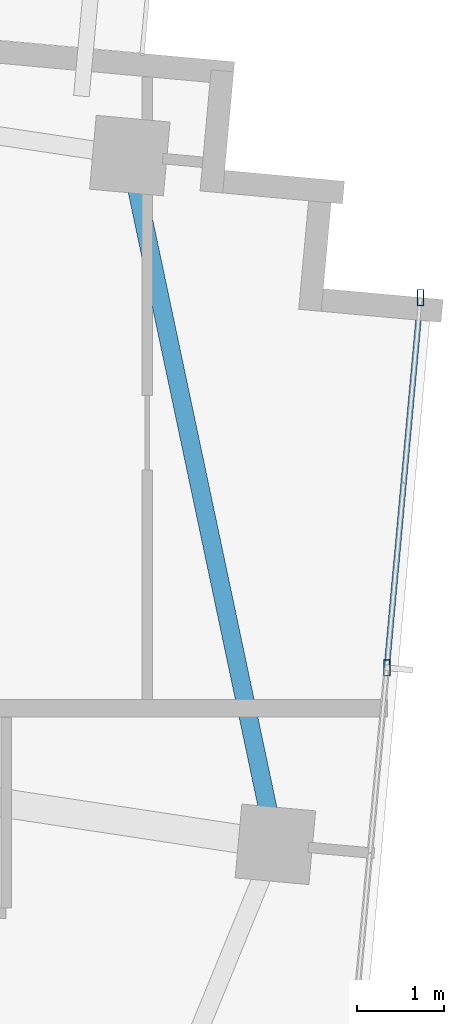
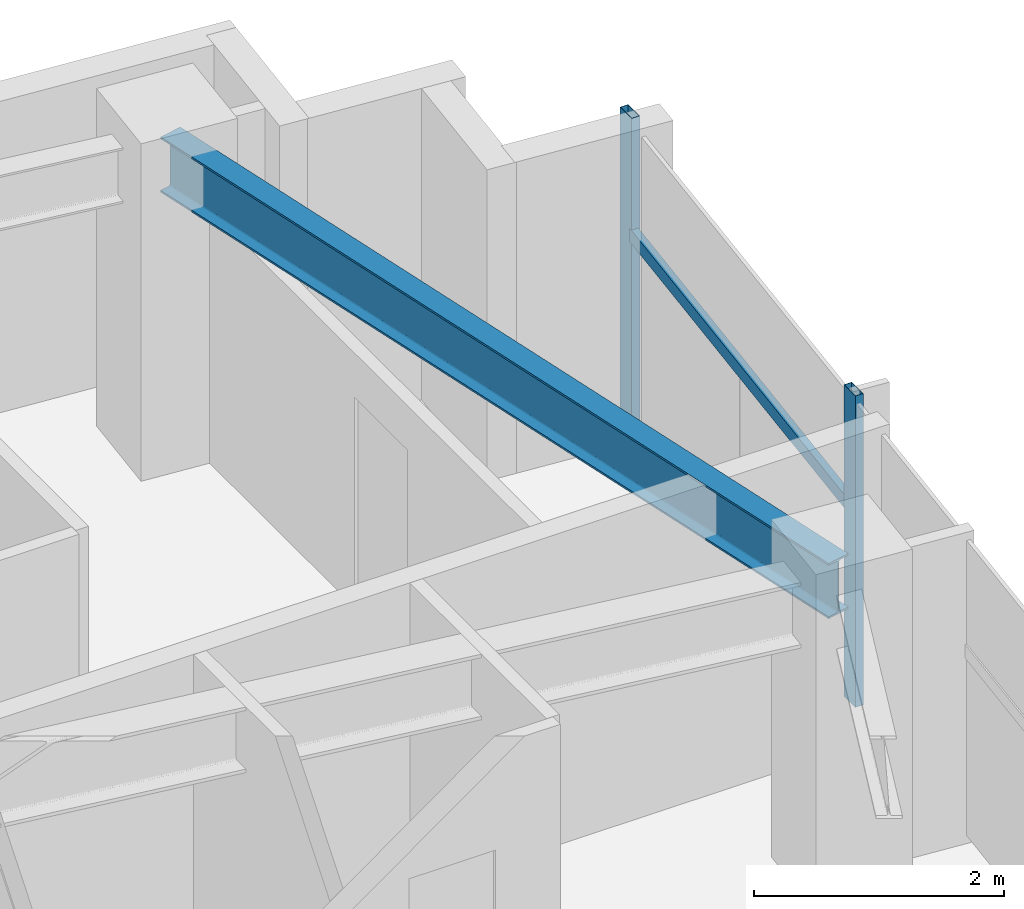
# One storey, part 14 of 22: 3 members, 1 beam, 1 element without a shape of its own.
"""IFC4 building model written with IfcOpenShell, lengths in metres."""

from ifc_helpers import new_model, si_unit, direction, frame, origin, origin_2d, place, context, subcontext, project, spatial, hollow_rectangle, i_section, extrude, source, transform, mapped, material, material_profile, profile_set, type_object, type_shapes, element, aggregate, save


model = new_model("IFC4")

# Units and contexts
model_context = context("Model", 3, precision=1e-05, world=origin(), true_north=direction((0.0, 1.0)))
body_context = subcontext(model_context, "Body", "Model", "MODEL_VIEW")
ifc_project = project(units=[si_unit("LENGTHUNIT", "METRE"), si_unit("AREAUNIT", "SQUARE_METRE"), si_unit("VOLUMEUNIT", "CUBIC_METRE"), si_unit("PLANEANGLEUNIT", "RADIAN"), si_unit("MASSUNIT", "GRAM", prefix="KILO")], contexts=[model_context])

# Site, building, storey
site_placement = place(None, origin())
site = spatial("IfcSite", under=ifc_project, at=site_placement, CompositionType="ELEMENT")
building_placement = place(site_placement, origin())
building = spatial("IfcBuilding", under=site, at=building_placement, Name="Astriad Promenade Condominiums", CompositionType="ELEMENT")
storey_placement = place(building_placement, frame((0.0, 0.0, 236.39990234375)))
storey = spatial("IfcBuildingStorey", under=building, at=storey_placement, Name="L68", CompositionType="ELEMENT", Elevation=236.39990234375)

# Beam
ifc_material_1 = material(Name="Steel ASTM A992 Grade 50", Category="steel")
ifc_material_profile_1 = material_profile(ifc_material_1, i_section(OverallWidth=0.210693359375, OverallDepth=0.53955078125, WebThickness=0.01171875, FlangeThickness=0.018798828125, FilletRadius=0.0166015625, at=origin_2d()), Name="W21X73")
ifc_profile_set_1 = profile_set([ifc_material_profile_1], Name="Steel ASTM A992 Grade 50")
beam_type = type_object("IfcBeamType", Name="STEEL SPANDREL BEAM W21X73", PredefinedType="SPANDREL", material=ifc_profile_set_1)
shared_shape_1 = source(origin(), body_context, "Body", "SweptSolid", [
    extrude(i_section(OverallWidth=0.210693359375, OverallDepth=0.53955078125, WebThickness=0.01171875, FlangeThickness=0.018798828125, FilletRadius=0.0166015625, at=origin_2d()), origin(), (0.0, 0.0, 1.0), 7.99853515625),
])
type_shapes(beam_type, [shared_shape_1])
beam_placement = place(storey_placement, frame((54.88037109375, 16.02880859375, 2.7705078125), z_axis=(-0.20676418926, 0.978390806396, 0.0), x_axis=(-0.978390806396, -0.20676418926, 0.0)))
element("IfcBeam", 1, at=beam_placement, inside=storey, type_object=beam_type, Name="Perimeter Spandrel Beam SP-E2-L68", PredefinedType="SPANDREL", context=body_context, shape_type="MappedRepresentation", body=[
    mapped(shared_shape_1, transform((0.0, 0.0, 0.0), scale=1.0)),
])

# Curtain wall, members
ifc_material_2 = material(Name="Anodised aluminium Black Dark Glass Unitised", Category="aluminium")
curtain_wall_type = type_object("IfcCurtainWallType", Name="CW-B5-DARK", PredefinedType="USERDEFINED", material=ifc_material_2)
curtain_wall_placement = place(storey_placement, origin())
curtain_wall = element("IfcCurtainWall", 2, at=curtain_wall_placement, inside=storey, type_object=curtain_wall_type, Name="CW-L68-E", ObjectType="UNITISED_CURTAIN_WALL", PredefinedType="USERDEFINED")
ifc_material_3 = material(Name="Anodised aluminium 6063-T6 Black", Category="aluminium")
ifc_material_profile_2 = material_profile(ifc_material_3, hollow_rectangle(XDim=0.06494140625, YDim=0.1298828125, WallThickness=0.00390625, at=origin_2d()), Name="ALU-TRN-65X130")
ifc_profile_set_2 = profile_set([ifc_material_profile_2], Name="Anodised aluminium 6063-T6 Black")
member_type_1 = type_object("IfcMemberType", Name="TRN-ALU-TRN-65X130", PredefinedType="USERDEFINED", material=ifc_profile_set_2)
shared_shape_2 = source(origin(), body_context, "Body", "SweptSolid", [
    extrude(hollow_rectangle(XDim=0.06494140625, YDim=0.1298828125, WallThickness=0.00390625, at=origin_2d()), origin(), (0.0, 0.0, 1.0), 4.2666015625),
])
type_shapes(member_type_1, [shared_shape_2])
member_1_placement = place(storey_placement, frame((56.55419921875, 22.2646484375, 1.885009765625), z_axis=(-0.090638931954, -0.99588382054, 0.0), x_axis=(0.99588382054, -0.090638931954, 0.0)))
member_1 = element("IfcMember", 3, at=member_1_placement, type_object=member_type_1, Name="CW-L68-E-TRN-00-0", ObjectType="TRANSOM", PredefinedType="USERDEFINED", context=body_context, shape_type="MappedRepresentation", body=[
    mapped(shared_shape_2, transform((0.0, 0.0, 0.0), scale=1.0)),
])
ifc_material_profile_3 = material_profile(ifc_material_3, hollow_rectangle(XDim=0.074951171875, YDim=0.18505859375, WallThickness=0.00439453125, at=origin_2d()), Name="ALU-MUL-75X185")
ifc_profile_set_3 = profile_set([ifc_material_profile_3], Name="Anodised aluminium 6063-T6 Black")
member_type_2 = type_object("IfcMemberType", Name="MUL-ALU-MUL-75X185", PredefinedType="MULLION", material=ifc_profile_set_3)
shared_shape_3 = source(origin(), body_context, "Body", "SweptSolid", [
    extrude(hollow_rectangle(XDim=0.074951171875, YDim=0.18505859375, WallThickness=0.00439453125, at=origin_2d()), origin(), (0.0, 0.0, 1.0), 3.0400390625),
])
type_shapes(member_type_2, [shared_shape_3])
member_2_placement = place(storey_placement, frame((56.55419921875, 22.2646484375, 0.0), z_axis=(0.0, 0.0, 1.0), x_axis=(1.0, 0.0, 0.0)))
member_2 = element("IfcMember", 4, at=member_2_placement, type_object=member_type_2, Name="CW-L68-E-MUL-00", PredefinedType="MULLION", context=body_context, shape_type="MappedRepresentation", body=[
    mapped(shared_shape_3, transform((0.0, 0.0, 0.0), scale=1.0)),
])
member_3_placement = place(storey_placement, frame((56.16748046875, 18.015625, 0.0), z_axis=(0.0, 0.0, 1.0), x_axis=(1.0, 0.0, 0.0)))
member_3 = element("IfcMember", 5, at=member_3_placement, type_object=member_type_2, Name="CW-L68-E-MUL-01", PredefinedType="MULLION", context=body_context, shape_type="MappedRepresentation", body=[
    mapped(shared_shape_3, transform((0.0, 0.0, 0.0), scale=1.0)),
])
aggregate(curtain_wall, [member_2, member_3, member_1])

save(model, "model.ifc")
